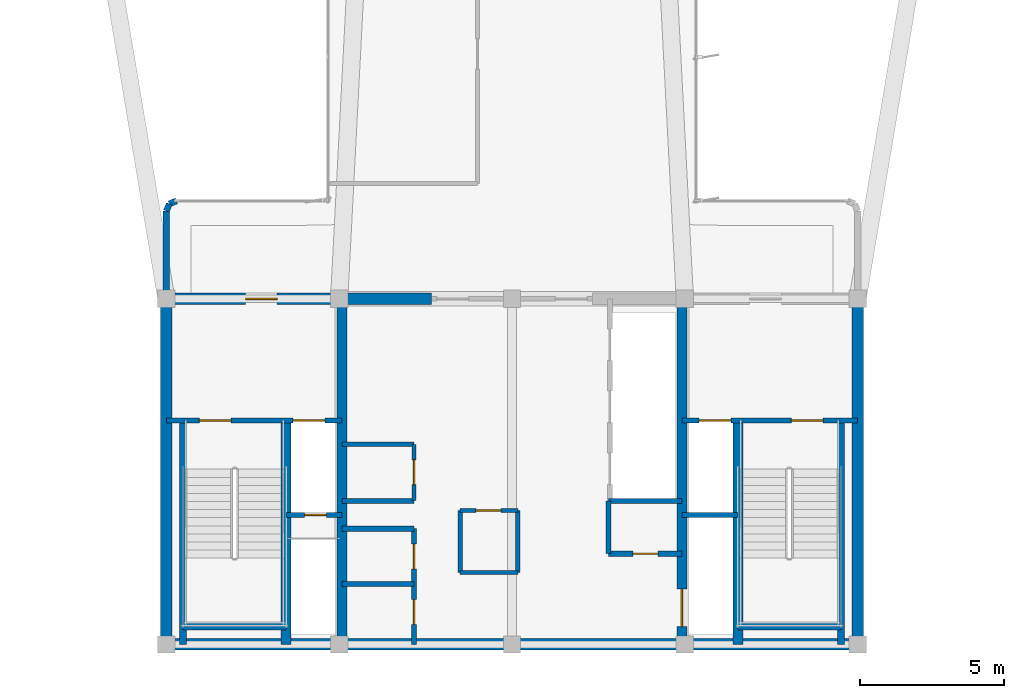
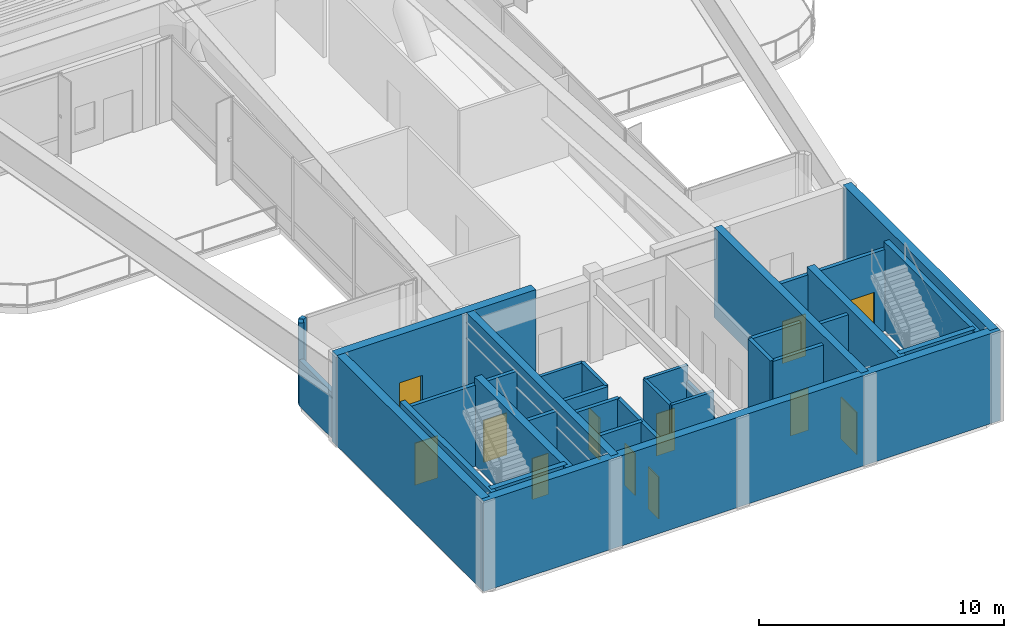
# One storey, part 11 of 16: 32 walls, 12 doors, 12 openings.
"""IFC4 building model written with IfcOpenShell, lengths in metres."""

from ifc_helpers import new_model, si_unit, direction, frame, frame_2d, origin, origin_2d, place, context, subcontext, project, spatial, rectangle, extrude, source, transform, mapped, material, layer, layer_set, type_object, element, fill, save


model = new_model("IFC4")

# Units and contexts
model_context = context("Model", 3, precision=1e-05, world=origin(), true_north=direction((0.0, 1.0)))
body_context = subcontext(model_context, "Body", "Model", "MODEL_VIEW")
ifc_project = project(units=[si_unit("LENGTHUNIT", "METRE"), si_unit("AREAUNIT", "SQUARE_METRE"), si_unit("VOLUMEUNIT", "CUBIC_METRE"), si_unit("PLANEANGLEUNIT", "RADIAN"), si_unit("MASSUNIT", "GRAM", prefix="KILO")], contexts=[model_context])

# Site, building, storey
site_placement = place(None, origin())
site = spatial("IfcSite", under=ifc_project, at=site_placement, CompositionType="ELEMENT")
building_placement = place(site_placement, origin())
building = spatial("IfcBuilding", under=site, at=building_placement, Name="Brelvock Crest Care Tower", CompositionType="ELEMENT")
storey_placement = place(building_placement, frame((0.0, 0.0, 218.52001953125)))
storey = spatial("IfcBuildingStorey", under=building, at=storey_placement, Name="L55", CompositionType="ELEMENT", Elevation=218.52001953125)

# Walls
ifc_material_1 = material(Name="Concrete S65 (65 MPa)", Category="concrete")
ifc_layer_1 = layer(ifc_material_1, 0.39990234375, Name="WL-CS4")
ifc_layer_set_1 = layer_set([ifc_layer_1], Name="Concrete S65 (65 MPa)")
wall_type_1 = type_object("IfcWallType", Name="WL-CS4", PredefinedType="SHEAR", material=ifc_layer_set_1)
wall_1_placement = place(storey_placement, frame((48.199951171875, 6.0, 0.0), z_axis=(0.0, 0.0, 1.0), x_axis=(-1.0, 0.0, 0.0)))
element("IfcWall", 1, at=wall_1_placement, inside=storey, type_object=wall_type_1, Name="L55 Core South Shear Wall", PredefinedType="SHEAR", context=body_context, shape_type="SweptSolid", body=[
    extrude(rectangle(XDim=24.39990234375, YDim=0.39990234375, at=frame_2d((12.199951171875, 0.0))), origin(), (0.0, 0.0, 1.0), 4.5),
])
for number, where, z_axis, x_axis, name in (
    (2, (24.0, 6.0, 0.0), (0.0, 0.0, 1.0), (0.0, 1.0, 0.0), "L55 Core West Shear Wall"),
    (3, (48.0, 18.0, 0.0), (0.0, 0.0, 1.0), (0.0, -1.0, 0.0), "L55 Core East Shear Wall"),
):
    element("IfcWall", number, at=place(storey_placement, frame(where, z_axis=z_axis, x_axis=x_axis)), inside=storey, type_object=wall_type_1, Name=name, PredefinedType="SHEAR", context=body_context, shape_type="SweptSolid", body=[
        extrude(rectangle(XDim=12.0, YDim=0.39990234375, at=frame_2d((6.0, 0.0))), origin(), (0.0, 0.0, 1.0), 4.5),
    ])

# Wall, opening, door
wall_2_placement = place(storey_placement, frame((23.800048828125, 18.0, 0.0), z_axis=(0.0, 0.0, 1.0), x_axis=(1.0, 0.0, 0.0)))
wall_2 = element("IfcWall", 4, at=wall_2_placement, inside=storey, type_object=wall_type_1, Name="L55 Core North-West Shear Wall", PredefinedType="SHEAR", context=body_context, shape_type="SweptSolid", body=[
    extrude(rectangle(XDim=9.39990234375, YDim=0.39990234375, at=frame_2d((4.699951171875, 0.0))), origin(), (0.0, 0.0, 1.0), 4.5),
])
opening_1_placement = place(wall_2_placement, frame((2.949951171875, 0.0, 0.0)))
opening_1 = element("IfcOpeningElement", 5, at=opening_1_placement, cuts=wall_2, Name="Opening FD-1", PredefinedType="OPENING", context=body_context, shape_type="SweptSolid", body=[
    extrude(rectangle(XDim=1.10009765625, YDim=2.10009765625, at=origin_2d()), frame((0.550048828125, 0.2099609375, 1.050048828125), z_axis=(0.0, -1.0, 0.0), x_axis=(1.0, 0.0, 0.0)), (0.0, 0.0, 1.0), 0.419921875),
])
ifc_material_2 = material(Name="Steel Grade 350", Category="steel")
door_type_1 = type_object("IfcDoorType", Name="DR-FFL1", OperationType="NOTDEFINED", PredefinedType="DOOR", material=ifc_material_2)
shared_shape_1 = source(origin(), body_context, "Body", "SweptSolid", [
    extrude(rectangle(XDim=1.10009765625, YDim=2.10009765625, at=origin_2d()), frame((0.550048828125, 0.02490234375, 1.050048828125), z_axis=(0.0, -1.0, 0.0), x_axis=(1.0, 0.0, 0.0)), (0.0, 0.0, 1.0), 0.050048828125),
])
door_1_placement = place(opening_1_placement, origin())
door_1 = element("IfcDoor", 6, at=door_1_placement, inside=storey, type_object=door_type_1, Name="L55 Firefighting Lobby FFL-1 Exit Door", OperationType="SINGLE_SWING_LEFT", OverallHeight=2.10009765625, OverallWidth=1.10009765625, PredefinedType="DOOR", context=body_context, shape_type="MappedRepresentation", body=[
    mapped(shared_shape_1, transform((0.0, 0.0, 0.0), x_axis=(1.0, 0.0, 0.0), y_axis=(0.0, 1.0, 0.0), z_axis=(0.0, 0.0, 1.0), scale=1.0)),
])
fill(opening_1, door_1)

# Wall
ifc_material_3 = material(Name="Concrete S80 (80 MPa)", Category="concrete")
ifc_layer_2 = layer(ifc_material_3, 0.35009765625, Name="WL-CS5")
ifc_layer_set_2 = layer_set([ifc_layer_2], Name="Concrete S80 (80 MPa)")
wall_type_2 = type_object("IfcWallType", Name="WL-CS5", PredefinedType="SHEAR", material=ifc_layer_set_2)
wall_3_placement = place(storey_placement, frame((30.10009765625, 6.0, 0.0), z_axis=(0.0, 0.0, 1.0), x_axis=(0.0, 1.0, 0.0)))
element("IfcWall", 7, at=wall_3_placement, inside=storey, type_object=wall_type_2, Name="L55 Core Internal Web Wall West", PredefinedType="SHEAR", context=body_context, shape_type="SweptSolid", body=[
    extrude(rectangle(XDim=12.0, YDim=0.35009765625, at=frame_2d((6.0, 0.0))), origin(), (0.0, 0.0, 1.0), 4.5),
])

# Wall, opening, door
wall_4_placement = place(storey_placement, frame((41.89990234375, 18.0, 0.0), z_axis=(0.0, 0.0, 1.0), x_axis=(0.0, -1.0, 0.0)))
wall_4 = element("IfcWall", 8, at=wall_4_placement, inside=storey, type_object=wall_type_2, Name="L55 Core Internal Web Wall East", PredefinedType="SHEAR", context=body_context, shape_type="SweptSolid", body=[
    extrude(rectangle(XDim=12.0, YDim=0.35009765625, at=frame_2d((6.0, 0.0))), origin(), (0.0, 0.0, 1.0), 4.5),
])
opening_2_placement = place(wall_4_placement, frame((10.080078125, 0.0, 0.0)))
opening_2 = element("IfcOpeningElement", 9, at=opening_2_placement, cuts=wall_4, Name="Opening LD-S", PredefinedType="OPENING", context=body_context, shape_type="SweptSolid", body=[
    extrude(rectangle(XDim=1.300048828125, YDim=2.10009765625, at=origin_2d()), frame((0.64990234375, 0.18505859375, 1.050048828125), z_axis=(0.0, -1.0, 0.0), x_axis=(1.0, 0.0, 0.0)), (0.0, 0.0, 1.0), 0.3701171875),
])
door_type_2 = type_object("IfcDoorType", Name="DR-LDS1", OperationType="NOTDEFINED", PredefinedType="DOOR", material=ifc_material_2)
shared_shape_2 = source(origin(), body_context, "Body", "SweptSolid", [
    extrude(rectangle(XDim=1.300048828125, YDim=2.10009765625, at=origin_2d()), frame((0.64990234375, 0.02490234375, 1.050048828125), z_axis=(0.0, -1.0, 0.0), x_axis=(1.0, 0.0, 0.0)), (0.0, 0.0, 1.0), 0.050048828125),
])
door_2_placement = place(opening_2_placement, origin())
door_2 = element("IfcDoor", 10, at=door_2_placement, inside=storey, type_object=door_type_2, Name="L55 Clinical Bed Lift SL-1 Landing Door", OperationType="SLIDING_TO_LEFT", OverallHeight=2.10009765625, OverallWidth=1.300048828125, PredefinedType="DOOR", context=body_context, shape_type="MappedRepresentation", body=[
    mapped(shared_shape_2, transform((0.0, 0.0, 0.0), x_axis=(1.0, 0.0, 0.0), y_axis=(0.0, 1.0, 0.0), z_axis=(0.0, 0.0, 1.0), scale=1.0)),
])
fill(opening_2, door_2)

# Walls
for number, where, z_axis, x_axis, name in (
    (11, (28.14990234375, 6.0, 0.0), (0.0, 0.0, 1.0), (0.0, 1.0, 0.0), "L55 Core Stair ST-1 East Shear Wall"),
    (12, (43.85009765625, 6.0, 0.0), (0.0, 0.0, 1.0), (0.0, 1.0, 0.0), "L55 Core Stair ST-2 West Shear Wall"),
):
    element("IfcWall", number, at=place(storey_placement, frame(where, z_axis=z_axis, x_axis=x_axis)), inside=storey, type_object=wall_type_2, Name=name, PredefinedType="SHEAR", context=body_context, shape_type="SweptSolid", body=[
        extrude(rectangle(XDim=7.780029296875, YDim=0.35009765625, at=frame_2d((3.89013671875, 0.0))), origin(), (0.0, 0.0, 1.0), 4.411865234375),
    ])
ifc_layer_3 = layer(ifc_material_3, 0.25, Name="WL-CS6")
ifc_layer_set_3 = layer_set([ifc_layer_3], Name="Concrete S80 (80 MPa)")
wall_type_3 = type_object("IfcWallType", Name="WL-CS6", PredefinedType="SHEAR", material=ifc_layer_set_3)
wall_5_placement = place(storey_placement, frame((24.580078125, 6.0, 0.0), z_axis=(0.0, 0.0, 1.0), x_axis=(0.0, 1.0, 0.0)))
element("IfcWall", 13, at=wall_5_placement, inside=storey, type_object=wall_type_3, Name="L55 Core Stair ST-1 West Shear Wall", PredefinedType="SHEAR", context=body_context, shape_type="SweptSolid", body=[
    extrude(rectangle(XDim=7.780029296875, YDim=0.25, at=frame_2d((3.89013671875, 0.0))), origin(), (0.0, 0.0, 1.0), 4.411865234375),
])
wall_6_placement = place(storey_placement, frame((24.580078125, 6.6201171875, 0.0), z_axis=(0.0, 0.0, 1.0), x_axis=(1.0, 0.0, 0.0)))
element("IfcWall", 14, at=wall_6_placement, inside=storey, type_object=wall_type_3, Name="L55 Core Stair ST-1 South Shear Wall", PredefinedType="SHEAR", context=body_context, shape_type="SweptSolid", body=[
    extrude(rectangle(XDim=3.56982421875, YDim=0.25, at=frame_2d((1.784912109375, 0.0))), origin(), (0.0, 0.0, 1.0), 4.411865234375),
])
wall_7_placement = place(storey_placement, frame((47.419921875, 6.0, 0.0), z_axis=(0.0, 0.0, 1.0), x_axis=(0.0, 1.0, 0.0)))
element("IfcWall", 15, at=wall_7_placement, inside=storey, type_object=wall_type_3, Name="L55 Core Stair ST-2 East Shear Wall", PredefinedType="SHEAR", context=body_context, shape_type="SweptSolid", body=[
    extrude(rectangle(XDim=7.780029296875, YDim=0.25, at=frame_2d((3.89013671875, 0.0))), origin(), (0.0, 0.0, 1.0), 4.411865234375),
])
wall_8_placement = place(storey_placement, frame((43.85009765625, 6.6201171875, 0.0), z_axis=(0.0, 0.0, 1.0), x_axis=(1.0, 0.0, 0.0)))
element("IfcWall", 16, at=wall_8_placement, inside=storey, type_object=wall_type_3, Name="L55 Core Stair ST-2 South Shear Wall", PredefinedType="SHEAR", context=body_context, shape_type="SweptSolid", body=[
    extrude(rectangle(XDim=3.56982421875, YDim=0.25, at=frame_2d((1.784912109375, 0.0))), origin(), (0.0, 0.0, 1.0), 4.411865234375),
])
ifc_material_4 = material(Name="Precast concrete N40 (40 MPa)", Category="concrete")
ifc_layer_4 = layer(ifc_material_4, 0.215087890625, Name="WL-EX2")
ifc_layer_set_4 = layer_set([ifc_layer_4], Name="Precast concrete N40 (40 MPa)")
wall_type_4 = type_object("IfcWallType", Name="WL-EX2", PredefinedType="SOLIDWALL", material=ifc_layer_set_4)
wall_9_placement = place(storey_placement, frame((24.0, 18.280029296875, 0.0), z_axis=(0.0, 0.0, 1.0), x_axis=(0.0, 1.0, 0.0)))
element("IfcWall", 17, at=wall_9_placement, inside=storey, type_object=wall_type_4, Name="L55 Rounded Corner Wall 07", PredefinedType="SOLIDWALL", context=body_context, shape_type="SweptSolid", body=[
    extrude(rectangle(XDim=2.77001953125, YDim=0.215087890625, at=frame_2d((1.385009765625, 0.0))), origin(), (0.0, 0.0, 1.0), 2.280029296875),
])
wall_10_placement = place(storey_placement, frame((24.0, 21.050048828125, 0.0), z_axis=(0.0, 0.0, 1.0), x_axis=(0.382673670509, 0.923883575944, 0.0)))
element("IfcWall", 18, at=wall_10_placement, inside=storey, type_object=wall_type_4, Name="L55 Rounded Corner Wall 08", PredefinedType="SOLIDWALL", context=body_context, shape_type="SweptSolid", body=[
    extrude(rectangle(XDim=0.26806640625, YDim=0.215087890625, at=frame_2d((0.134033203125, 0.0))), origin(), (0.0, 0.0, 1.0), 4.092041015625),
])
wall_11_placement = place(storey_placement, frame((24.1025390625, 21.297607421875, 0.0), z_axis=(0.0, 0.0, 1.0), x_axis=(0.924205486139, 0.381895560841, 0.0)))
element("IfcWall", 19, at=wall_11_placement, inside=storey, type_object=wall_type_4, Name="L55 Rounded Corner Wall 09", PredefinedType="SOLIDWALL", context=body_context, shape_type="SweptSolid", body=[
    extrude(rectangle(XDim=0.267822265625, YDim=0.215087890625, at=frame_2d((0.1337890625, 0.0))), origin(), (0.0, 0.0, 1.0), 4.092041015625),
])
ifc_material_5 = material(Name="Masonry Blockwork Acoustic Partition", Category="masonry")
ifc_layer_5 = layer(ifc_material_5, 0.14990234375, Name="WL-INT1")
ifc_layer_set_5 = layer_set([ifc_layer_5], Name="Masonry Blockwork Acoustic Partition")
wall_type_5 = type_object("IfcWallType", Name="WL-INT1", PredefinedType="PARTITIONING", material=ifc_layer_set_5)
wall_12_placement = place(storey_placement, frame((30.10009765625, 12.949951171875, 0.0), z_axis=(0.0, 0.0, 1.0), x_axis=(1.0, 0.0, 0.0)))
element("IfcWall", 20, at=wall_12_placement, inside=storey, type_object=wall_type_5, Name="L55 Interior Wall WL-CRCL-N2-L55", PredefinedType="PARTITIONING", context=body_context, shape_type="SweptSolid", body=[
    extrude(rectangle(XDim=2.5, YDim=0.14990234375, at=frame_2d((1.25, 0.0))), origin(), (0.0, 0.0, 1.0), 4.06201171875),
])

# Wall, opening, door
wall_13_placement = place(storey_placement, frame((32.60009765625, 11.0, 0.0), z_axis=(0.0, 0.0, 1.0), x_axis=(0.0, 1.0, 0.0)))
wall_13 = element("IfcWall", 21, at=wall_13_placement, inside=storey, type_object=wall_type_5, Name="L55 Interior Wall WL-CRCL-E-L55", PredefinedType="PARTITIONING", context=body_context, shape_type="SweptSolid", body=[
    extrude(rectangle(XDim=1.949951171875, YDim=0.14990234375, at=frame_2d((0.97509765625, 0.0))), origin(), (0.0, 0.0, 1.0), 4.06201171875),
])
opening_3_placement = place(wall_13_placement, frame((0.550048828125, 0.0, 0.0)))
opening_3 = element("IfcOpeningElement", 22, at=opening_3_placement, cuts=wall_13, Name="Opening ID-1", PredefinedType="OPENING", context=body_context, shape_type="SweptSolid", body=[
    extrude(rectangle(XDim=0.860107421875, YDim=2.10009765625, at=origin_2d()), frame((0.43017578125, 0.0849609375, 1.050048828125), z_axis=(0.0, -1.0, 0.0), x_axis=(1.0, 0.0, 0.0)), (0.0, 0.0, 1.0), 0.169921875),
])
ifc_material_6 = material(Name="Engineered Hardwood Timber", Category="wood")
door_type_3 = type_object("IfcDoorType", Name="DR-INT1", OperationType="NOTDEFINED", PredefinedType="DOOR", material=ifc_material_6)
shared_shape_3 = source(origin(), body_context, "Body", "SweptSolid", [
    extrude(rectangle(XDim=0.860107421875, YDim=2.10009765625, at=origin_2d()), frame((0.43017578125, 0.02490234375, 1.050048828125), z_axis=(0.0, -1.0, 0.0), x_axis=(1.0, 0.0, 0.0)), (0.0, 0.0, 1.0), 0.050048828125),
])
door_3_placement = place(opening_3_placement, origin())
door_3 = element("IfcDoor", 23, at=door_3_placement, inside=storey, type_object=door_type_3, Name="DR-CRCL1-L55", OperationType="SINGLE_SWING_LEFT", OverallHeight=2.10009765625, OverallWidth=0.860107421875, PredefinedType="DOOR", context=body_context, shape_type="MappedRepresentation", body=[
    mapped(shared_shape_3, transform((0.0, 0.0, 0.0), x_axis=(1.0, 0.0, 0.0), y_axis=(0.0, 1.0, 0.0), z_axis=(0.0, 0.0, 1.0), scale=1.0)),
])
fill(opening_3, door_3)

# Walls
wall_14_placement = place(storey_placement, frame((34.199951171875, 8.5, 0.0), z_axis=(0.0, 0.0, 1.0), x_axis=(1.0, 0.0, 0.0)))
element("IfcWall", 24, at=wall_14_placement, inside=storey, type_object=wall_type_5, Name="L55 Interior Wall WL-CRCM-S-L55", PredefinedType="PARTITIONING", context=body_context, shape_type="SweptSolid", body=[
    extrude(rectangle(XDim=2.0, YDim=0.14990234375, at=frame_2d((1.0, 0.0))), origin(), (0.0, 0.0, 1.0), 4.06201171875),
])
wall_15_placement = place(storey_placement, frame((34.199951171875, 8.5, 0.0), z_axis=(0.0, 0.0, 1.0), x_axis=(0.0, 1.0, 0.0)))
element("IfcWall", 25, at=wall_15_placement, inside=storey, type_object=wall_type_5, Name="L55 Interior Wall WL-CRCM-W-L55", PredefinedType="PARTITIONING", context=body_context, shape_type="SweptSolid", body=[
    extrude(rectangle(XDim=2.14990234375, YDim=0.14990234375, at=frame_2d((1.074951171875, 0.0))), origin(), (0.0, 0.0, 1.0), 4.06201171875),
])
wall_16_placement = place(storey_placement, frame((36.199951171875, 8.5, 0.0), z_axis=(0.0, 0.0, 1.0), x_axis=(0.0, 1.0, 0.0)))
element("IfcWall", 26, at=wall_16_placement, inside=storey, type_object=wall_type_5, Name="L55 Interior Wall WL-CRCM-E-L55", PredefinedType="PARTITIONING", context=body_context, shape_type="SweptSolid", body=[
    extrude(rectangle(XDim=2.14990234375, YDim=0.14990234375, at=frame_2d((1.074951171875, 0.0))), origin(), (0.0, 0.0, 1.0), 3.277099609375),
])

# Wall, opening, door
wall_17_placement = place(storey_placement, frame((34.199951171875, 10.64990234375, 0.0), z_axis=(0.0, 0.0, 1.0), x_axis=(1.0, 0.0, 0.0)))
wall_17 = element("IfcWall", 27, at=wall_17_placement, inside=storey, type_object=wall_type_5, Name="L55 Interior Wall WL-CRCM-N-L55", PredefinedType="PARTITIONING", context=body_context, shape_type="SweptSolid", body=[
    extrude(rectangle(XDim=2.0, YDim=0.14990234375, at=frame_2d((1.0, 0.0))), origin(), (0.0, 0.0, 1.0), 4.06201171875),
])
opening_4_placement = place(wall_17_placement, frame((0.550048828125, 0.0, 0.0)))
opening_4 = element("IfcOpeningElement", 28, at=opening_4_placement, cuts=wall_17, Name="Opening ID-1", PredefinedType="OPENING", context=body_context, shape_type="SweptSolid", body=[
    extrude(rectangle(XDim=0.860107421875, YDim=2.10009765625, at=origin_2d()), frame((0.43017578125, 0.0849609375, 1.050048828125), z_axis=(0.0, -1.0, 0.0), x_axis=(1.0, 0.0, 0.0)), (0.0, 0.0, 1.0), 0.169921875),
])
door_4_placement = place(opening_4_placement, origin())
door_4 = element("IfcDoor", 29, at=door_4_placement, inside=storey, type_object=door_type_3, Name="DR-CRCM1-L55", OperationType="SINGLE_SWING_LEFT", OverallHeight=2.10009765625, OverallWidth=0.860107421875, PredefinedType="DOOR", context=body_context, shape_type="MappedRepresentation", body=[
    mapped(shared_shape_3, transform((0.0, 0.0, 0.0), x_axis=(1.0, 0.0, 0.0), y_axis=(0.0, 1.0, 0.0), z_axis=(0.0, 0.0, 1.0), scale=1.0)),
])
fill(opening_4, door_4)

# Walls
ifc_layer_6 = layer(ifc_material_5, 0.179931640625, Name="WL-SHF1")
ifc_layer_set_6 = layer_set([ifc_layer_6], Name="Masonry Blockwork Acoustic Partition")
wall_type_6 = type_object("IfcWallType", Name="WL-SHF1", PredefinedType="PARTITIONING", material=ifc_layer_set_6)
wall_18_placement = place(storey_placement, frame((30.10009765625, 10.97998046875, 0.0), z_axis=(0.0, 0.0, 1.0), x_axis=(1.0, 0.0, 0.0)))
element("IfcWall", 30, at=wall_18_placement, inside=storey, type_object=wall_type_6, Name="L55 Interior Wall WL-CSBW-N-L55", PredefinedType="PARTITIONING", context=body_context, shape_type="SweptSolid", body=[
    extrude(rectangle(XDim=2.5, YDim=0.179931640625, at=frame_2d((1.25, 0.0))), origin(), (0.0, 0.0, 1.0), 4.06201171875),
])
wall_19_placement = place(storey_placement, frame((39.35009765625, 10.97998046875, 0.0), z_axis=(0.0, 0.0, 1.0), x_axis=(1.0, 0.0, 0.0)))
element("IfcWall", 31, at=wall_19_placement, inside=storey, type_object=wall_type_6, Name="L55 Interior Wall WL-CSBE-N-L55", PredefinedType="PARTITIONING", context=body_context, shape_type="SweptSolid", body=[
    extrude(rectangle(XDim=2.5498046875, YDim=0.179931640625, at=frame_2d((1.27490234375, 0.0))), origin(), (0.0, 0.0, 1.0), 4.06201171875),
])
for number, where, z_axis, x_axis, name in (
    (32, (30.10009765625, 8.10009765625, 0.0), (0.0, 0.0, 1.0), (1.0, 0.0, 0.0), "L55 Interior Wall WL-CSBW-SP-L55"),
    (33, (30.10009765625, 10.02001953125, 0.0), (0.0, 0.0, 1.0), (1.0, 0.0, 0.0), "L55 Interior Wall WL-CSBW-N2-L55"),
):
    element("IfcWall", number, at=place(storey_placement, frame(where, z_axis=z_axis, x_axis=x_axis)), inside=storey, type_object=wall_type_6, Name=name, PredefinedType="PARTITIONING", context=body_context, shape_type="SweptSolid", body=[
        extrude(rectangle(XDim=2.5, YDim=0.179931640625, at=frame_2d((1.25, 0.0))), origin(), (0.0, 0.0, 1.0), 4.06201171875),
    ])

# Wall, openings, doors
wall_20_placement = place(storey_placement, frame((32.60009765625, 6.0, 0.0), z_axis=(0.0, 0.0, 1.0), x_axis=(0.0, 1.0, 0.0)))
wall_20 = element("IfcWall", 34, at=wall_20_placement, inside=storey, type_object=wall_type_6, Name="L55 Interior Wall WL-CSBW-E-L55", PredefinedType="PARTITIONING", context=body_context, shape_type="SweptSolid", body=[
    extrude(rectangle(XDim=4.02001953125, YDim=0.179931640625, at=frame_2d((2.010009765625, 0.0))), origin(), (0.0, 0.0, 1.0), 4.06201171875),
])
opening_5_placement = place(wall_20_placement, frame((0.699951171875, 0.0, 0.0)))
opening_5 = element("IfcOpeningElement", 35, at=opening_5_placement, cuts=wall_20, Name="Opening ID-1", PredefinedType="OPENING", context=body_context, shape_type="SweptSolid", body=[
    extrude(rectangle(XDim=0.860107421875, YDim=2.10009765625, at=origin_2d()), frame((0.43017578125, 0.10009765625, 1.050048828125), z_axis=(0.0, -1.0, 0.0), x_axis=(1.0, 0.0, 0.0)), (0.0, 0.0, 1.0), 0.199951171875),
])
opening_6_placement = place(wall_20_placement, frame((2.6201171875, 0.0, 0.0)))
opening_6 = element("IfcOpeningElement", 36, at=opening_6_placement, cuts=wall_20, Name="Opening ID-1", PredefinedType="OPENING", context=body_context, shape_type="SweptSolid", body=[
    extrude(rectangle(XDim=0.860107421875, YDim=2.10009765625, at=origin_2d()), frame((0.43017578125, 0.10009765625, 1.050048828125), z_axis=(0.0, -1.0, 0.0), x_axis=(1.0, 0.0, 0.0)), (0.0, 0.0, 1.0), 0.199951171875),
])
door_5_placement = place(opening_5_placement, origin())
door_5 = element("IfcDoor", 37, at=door_5_placement, inside=storey, type_object=door_type_3, Name="DR-CSBW1-L55", OperationType="SINGLE_SWING_LEFT", OverallHeight=2.10009765625, OverallWidth=0.860107421875, PredefinedType="DOOR", context=body_context, shape_type="MappedRepresentation", body=[
    mapped(shared_shape_3, transform((0.0, 0.0, 0.0), x_axis=(1.0, 0.0, 0.0), y_axis=(0.0, 1.0, 0.0), z_axis=(0.0, 0.0, 1.0), scale=1.0)),
])
fill(opening_5, door_5)
door_6_placement = place(opening_6_placement, origin())
door_6 = element("IfcDoor", 38, at=door_6_placement, inside=storey, type_object=door_type_3, Name="DR-CSBW2-L55", OperationType="SINGLE_SWING_RIGHT", OverallHeight=2.10009765625, OverallWidth=0.860107421875, PredefinedType="DOOR", context=body_context, shape_type="MappedRepresentation", body=[
    mapped(shared_shape_3, transform((0.0, 0.0, 0.0), x_axis=(1.0, 0.0, 0.0), y_axis=(0.0, 1.0, 0.0), z_axis=(0.0, 0.0, 1.0), scale=1.0)),
])
fill(opening_6, door_6)

# Wall
wall_21_placement = place(storey_placement, frame((39.35009765625, 9.14990234375, 0.0), z_axis=(0.0, 0.0, 1.0), x_axis=(0.0, 1.0, 0.0)))
element("IfcWall", 39, at=wall_21_placement, inside=storey, type_object=wall_type_6, Name="L55 Interior Wall WL-CSBE-W-L55", PredefinedType="PARTITIONING", context=body_context, shape_type="SweptSolid", body=[
    extrude(rectangle(XDim=1.830078125, YDim=0.179931640625, at=frame_2d((0.9150390625, 0.0))), origin(), (0.0, 0.0, 1.0), 4.06201171875),
])

# Wall, opening, door
wall_22_placement = place(storey_placement, frame((39.35009765625, 9.14990234375, 0.0), z_axis=(0.0, 0.0, 1.0), x_axis=(1.0, 0.0, 0.0)))
wall_22 = element("IfcWall", 40, at=wall_22_placement, inside=storey, type_object=wall_type_6, Name="L55 Interior Wall WL-CSBE-S-L55", PredefinedType="PARTITIONING", context=body_context, shape_type="SweptSolid", body=[
    extrude(rectangle(XDim=2.5498046875, YDim=0.179931640625, at=frame_2d((1.27490234375, 0.0))), origin(), (0.0, 0.0, 1.0), 4.06201171875),
])
opening_7_placement = place(wall_22_placement, frame((0.85009765625, 0.0, 0.0)))
opening_7 = element("IfcOpeningElement", 41, at=opening_7_placement, cuts=wall_22, Name="Opening ID-1", PredefinedType="OPENING", context=body_context, shape_type="SweptSolid", body=[
    extrude(rectangle(XDim=0.860107421875, YDim=2.10009765625, at=origin_2d()), frame((0.43017578125, 0.10009765625, 1.050048828125), z_axis=(0.0, -1.0, 0.0), x_axis=(1.0, 0.0, 0.0)), (0.0, 0.0, 1.0), 0.199951171875),
])
door_7_placement = place(opening_7_placement, origin())
door_7 = element("IfcDoor", 42, at=door_7_placement, inside=storey, type_object=door_type_3, Name="DR-CSBE-L55", OperationType="SINGLE_SWING_LEFT", OverallHeight=2.10009765625, OverallWidth=0.860107421875, PredefinedType="DOOR", context=body_context, shape_type="MappedRepresentation", body=[
    mapped(shared_shape_3, transform((0.0, 0.0, 0.0), x_axis=(1.0, 0.0, 0.0), y_axis=(0.0, 1.0, 0.0), z_axis=(0.0, 0.0, 1.0), scale=1.0)),
])
fill(opening_7, door_7)

# Wall, openings, doors
wall_23_placement = place(storey_placement, frame((24.0, 13.780029296875, 0.0), z_axis=(0.0, 0.0, 1.0), x_axis=(1.0, 0.0, 0.0)))
wall_23 = element("IfcWall", 43, at=wall_23_placement, inside=storey, type_object=wall_type_6, Name="L55 Interior Wall WL-ST1-N-L55", PredefinedType="PARTITIONING", context=body_context, shape_type="SweptSolid", body=[
    extrude(rectangle(XDim=6.10009765625, YDim=0.179931640625, at=frame_2d((3.050048828125, 0.0))), origin(), (0.0, 0.0, 1.0), 4.06201171875),
])
opening_8_placement = place(wall_23_placement, frame((1.14990234375, 0.0, 0.0)))
opening_8 = element("IfcOpeningElement", 44, at=opening_8_placement, cuts=wall_23, Name="Opening SD-1", PredefinedType="OPENING", context=body_context, shape_type="SweptSolid", body=[
    extrude(rectangle(XDim=1.10009765625, YDim=2.10009765625, at=origin_2d()), frame((0.550048828125, 0.10009765625, 1.050048828125), z_axis=(0.0, -1.0, 0.0), x_axis=(1.0, 0.0, 0.0)), (0.0, 0.0, 1.0), 0.199951171875),
])
opening_9_placement = place(wall_23_placement, frame((4.39990234375, 0.0, 0.0)))
opening_9 = element("IfcOpeningElement", 45, at=opening_9_placement, cuts=wall_23, Name="Opening LD", PredefinedType="OPENING", context=body_context, shape_type="SweptSolid", body=[
    extrude(rectangle(XDim=1.10009765625, YDim=2.10009765625, at=origin_2d()), frame((0.550048828125, 0.10009765625, 1.050048828125), z_axis=(0.0, -1.0, 0.0), x_axis=(1.0, 0.0, 0.0)), (0.0, 0.0, 1.0), 0.199951171875),
])
door_type_4 = type_object("IfcDoorType", Name="DR-ST1", OperationType="NOTDEFINED", PredefinedType="DOOR", material=ifc_material_2)
shared_shape_4 = source(origin(), body_context, "Body", "SweptSolid", [
    extrude(rectangle(XDim=1.10009765625, YDim=2.10009765625, at=origin_2d()), frame((0.550048828125, 0.02490234375, 1.050048828125), z_axis=(0.0, -1.0, 0.0), x_axis=(1.0, 0.0, 0.0)), (0.0, 0.0, 1.0), 0.050048828125),
])
door_8_placement = place(opening_8_placement, origin())
door_8 = element("IfcDoor", 46, at=door_8_placement, inside=storey, type_object=door_type_4, Name="L55 Fire Stair ST-1 Door", OperationType="SINGLE_SWING_LEFT", OverallHeight=2.10009765625, OverallWidth=1.10009765625, PredefinedType="DOOR", context=body_context, shape_type="MappedRepresentation", body=[
    mapped(shared_shape_4, transform((0.0, 0.0, 0.0), x_axis=(1.0, 0.0, 0.0), y_axis=(0.0, 1.0, 0.0), z_axis=(0.0, 0.0, 1.0), scale=1.0)),
])
fill(opening_8, door_8)
door_type_5 = type_object("IfcDoorType", Name="DR-LD1", OperationType="NOTDEFINED", PredefinedType="DOOR", material=ifc_material_2)
shared_shape_5 = source(origin(), body_context, "Body", "SweptSolid", [
    extrude(rectangle(XDim=1.10009765625, YDim=2.10009765625, at=origin_2d()), frame((0.550048828125, 0.02490234375, 1.050048828125), z_axis=(0.0, -1.0, 0.0), x_axis=(1.0, 0.0, 0.0)), (0.0, 0.0, 1.0), 0.050048828125),
])
door_9_placement = place(opening_9_placement, origin())
door_9 = element("IfcDoor", 47, at=door_9_placement, inside=storey, type_object=door_type_5, Name="L55 Firefighting Lift FFL-1 Landing Door", OperationType="SLIDING_TO_LEFT", OverallHeight=2.10009765625, OverallWidth=1.10009765625, PredefinedType="DOOR", context=body_context, shape_type="MappedRepresentation", body=[
    mapped(shared_shape_5, transform((0.0, 0.0, 0.0), x_axis=(1.0, 0.0, 0.0), y_axis=(0.0, 1.0, 0.0), z_axis=(0.0, 0.0, 1.0), scale=1.0)),
])
fill(opening_9, door_9)

# Wall, opening, door
wall_24_placement = place(storey_placement, frame((28.14990234375, 10.5, 0.0), z_axis=(0.0, 0.0, 1.0), x_axis=(1.0, 0.0, 0.0)))
wall_24 = element("IfcWall", 48, at=wall_24_placement, inside=storey, type_object=wall_type_6, Name="L55 Interior Wall WL-FFH1-S-L55", PredefinedType="PARTITIONING", context=body_context, shape_type="SweptSolid", body=[
    extrude(rectangle(XDim=1.9501953125, YDim=0.179931640625, at=frame_2d((0.97509765625, 0.0))), origin(), (0.0, 0.0, 1.0), 4.06201171875),
])
opening_10_placement = place(wall_24_placement, frame((0.64990234375, 0.0, 0.0)))
opening_10 = element("IfcOpeningElement", 49, at=opening_10_placement, cuts=wall_24, Name="Opening RD-1", PredefinedType="OPENING", context=body_context, shape_type="SweptSolid", body=[
    extrude(rectangle(XDim=0.760009765625, YDim=2.050048828125, at=origin_2d()), frame((0.3798828125, 0.10009765625, 1.02490234375), z_axis=(0.0, -1.0, 0.0), x_axis=(1.0, 0.0, 0.0)), (0.0, 0.0, 1.0), 0.199951171875),
])
door_type_6 = type_object("IfcDoorType", Name="DR-RIS1", OperationType="NOTDEFINED", PredefinedType="DOOR", material=ifc_material_2)
shared_shape_6 = source(origin(), body_context, "Body", "SweptSolid", [
    extrude(rectangle(XDim=0.760009765625, YDim=2.050048828125, at=origin_2d()), frame((0.3798828125, 0.02490234375, 1.02490234375), z_axis=(0.0, -1.0, 0.0), x_axis=(1.0, 0.0, 0.0)), (0.0, 0.0, 1.0), 0.050048828125),
])
door_10_placement = place(opening_10_placement, origin())
door_10 = element("IfcDoor", 50, at=door_10_placement, inside=storey, type_object=door_type_6, Name="L55 Wet Fire Riser Access Door", OperationType="SINGLE_SWING_LEFT", OverallHeight=2.050048828125, OverallWidth=0.760009765625, PredefinedType="DOOR", context=body_context, shape_type="MappedRepresentation", body=[
    mapped(shared_shape_6, transform((0.0, 0.0, 0.0), x_axis=(1.0, 0.0, 0.0), y_axis=(0.0, 1.0, 0.0), z_axis=(0.0, 0.0, 1.0), scale=1.0)),
])
fill(opening_10, door_10)

# Wall, openings, doors
wall_25_placement = place(storey_placement, frame((41.89990234375, 13.780029296875, 0.0), z_axis=(0.0, 0.0, 1.0), x_axis=(1.0, 0.0, 0.0)))
wall_25 = element("IfcWall", 51, at=wall_25_placement, inside=storey, type_object=wall_type_6, Name="L55 Interior Wall WL-ST2-N-L55", PredefinedType="PARTITIONING", context=body_context, shape_type="SweptSolid", body=[
    extrude(rectangle(XDim=6.10009765625, YDim=0.179931640625, at=frame_2d((3.050048828125, 0.0))), origin(), (0.0, 0.0, 1.0), 4.06201171875),
])
opening_11_placement = place(wall_25_placement, frame((0.60009765625, 0.0, 0.0)))
opening_11 = element("IfcOpeningElement", 52, at=opening_11_placement, cuts=wall_25, Name="Opening LD", PredefinedType="OPENING", context=body_context, shape_type="SweptSolid", body=[
    extrude(rectangle(XDim=1.10009765625, YDim=2.10009765625, at=origin_2d()), frame((0.550048828125, 0.10009765625, 1.050048828125), z_axis=(0.0, -1.0, 0.0), x_axis=(1.0, 0.0, 0.0)), (0.0, 0.0, 1.0), 0.199951171875),
])
opening_12_placement = place(wall_25_placement, frame((3.800048828125, 0.0, 0.0)))
opening_12 = element("IfcOpeningElement", 53, at=opening_12_placement, cuts=wall_25, Name="Opening SD-1", PredefinedType="OPENING", context=body_context, shape_type="SweptSolid", body=[
    extrude(rectangle(XDim=1.10009765625, YDim=2.10009765625, at=origin_2d()), frame((0.550048828125, 0.10009765625, 1.050048828125), z_axis=(0.0, -1.0, 0.0), x_axis=(1.0, 0.0, 0.0)), (0.0, 0.0, 1.0), 0.199951171875),
])
door_11_placement = place(opening_12_placement, origin())
door_11 = element("IfcDoor", 54, at=door_11_placement, inside=storey, type_object=door_type_4, Name="L55 Fire Stair ST-2 Door", OperationType="SINGLE_SWING_RIGHT", OverallHeight=2.10009765625, OverallWidth=1.10009765625, PredefinedType="DOOR", context=body_context, shape_type="MappedRepresentation", body=[
    mapped(shared_shape_4, transform((0.0, 0.0, 0.0), x_axis=(1.0, 0.0, 0.0), y_axis=(0.0, 1.0, 0.0), z_axis=(0.0, 0.0, 1.0), scale=1.0)),
])
fill(opening_12, door_11)
door_12_placement = place(opening_11_placement, origin())
door_12 = element("IfcDoor", 55, at=door_12_placement, inside=storey, type_object=door_type_5, Name="L55 Firefighting Lift FFL-2 Landing Door", OperationType="SLIDING_TO_RIGHT", OverallHeight=2.10009765625, OverallWidth=1.10009765625, PredefinedType="DOOR", context=body_context, shape_type="MappedRepresentation", body=[
    mapped(shared_shape_5, transform((0.0, 0.0, 0.0), x_axis=(1.0, 0.0, 0.0), y_axis=(0.0, 1.0, 0.0), z_axis=(0.0, 0.0, 1.0), scale=1.0)),
])
fill(opening_11, door_12)

# Wall
wall_26_placement = place(storey_placement, frame((41.89990234375, 10.5, 0.0), z_axis=(0.0, 0.0, 1.0), x_axis=(1.0, 0.0, 0.0)))
element("IfcWall", 56, at=wall_26_placement, inside=storey, type_object=wall_type_6, Name="L55 Interior Wall WL-FFH2-S-L55", PredefinedType="PARTITIONING", context=body_context, shape_type="SweptSolid", body=[
    extrude(rectangle(XDim=1.9501953125, YDim=0.179931640625, at=frame_2d((0.97509765625, 0.0))), origin(), (0.0, 0.0, 1.0), 4.06201171875),
])

save(model, "model.ifc")
